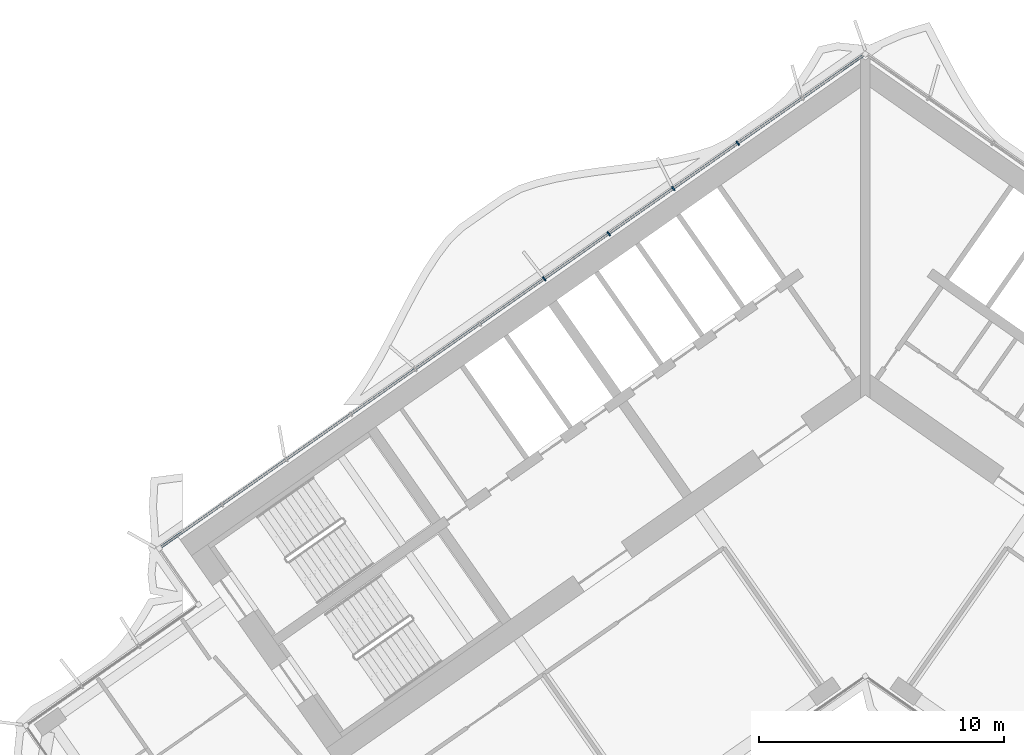
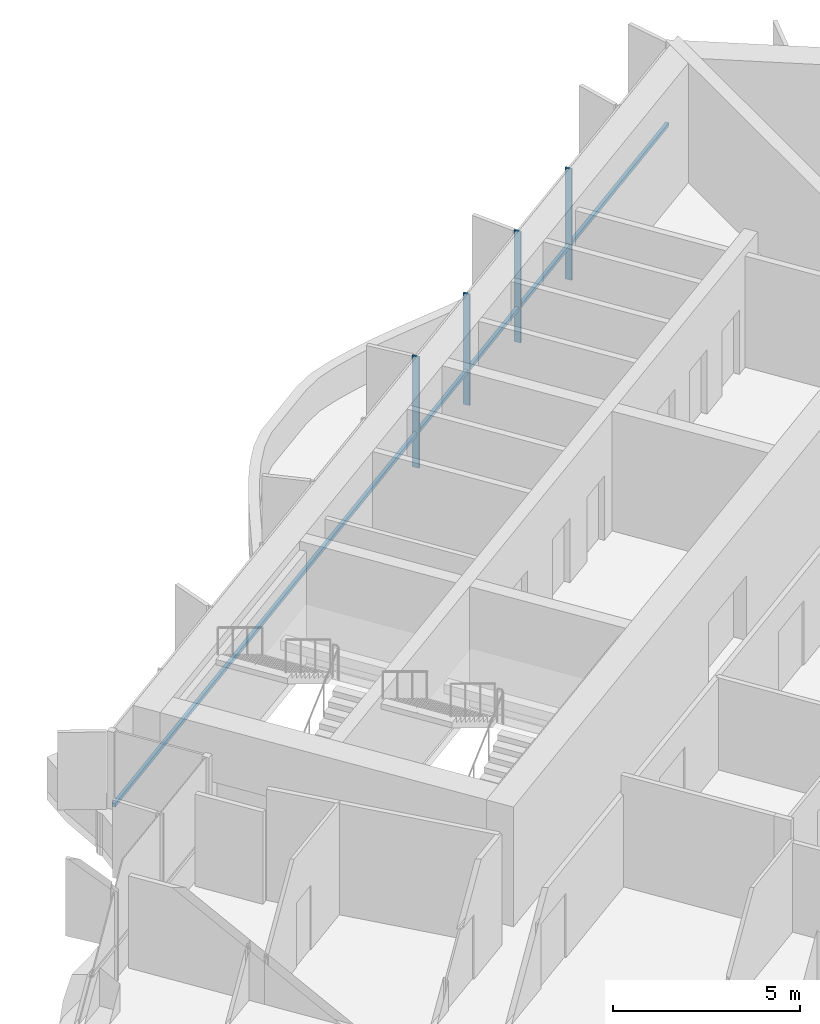
# One storey, part 7 of 21: 5 members, 1 element without a shape of its own.
"""IFC4 building model written with IfcOpenShell, lengths in metres."""

from ifc_helpers import new_model, si_unit, direction, frame, origin, origin_2d, place, context, subcontext, project, spatial, rectangle, extrude, material, material_profile, profile_set, type_object, element, aggregate, save


model = new_model("IFC4")

# Units and contexts
model_context = context("Model", 3, precision=1e-05, world=origin(), true_north=direction((0.0, 1.0)))
body_context = subcontext(model_context, "Body", "Model", "MODEL_VIEW")
ifc_project = project(units=[si_unit("LENGTHUNIT", "METRE"), si_unit("AREAUNIT", "SQUARE_METRE"), si_unit("VOLUMEUNIT", "CUBIC_METRE"), si_unit("PLANEANGLEUNIT", "RADIAN"), si_unit("MASSUNIT", "GRAM", prefix="KILO")], contexts=[model_context])

# Site, building, storey
site_placement = place(None, origin())
site = spatial("IfcSite", under=ifc_project, at=site_placement, CompositionType="ELEMENT")
building_placement = place(site_placement, origin())
building = spatial("IfcBuilding", under=site, at=building_placement, Name="Tel Ilan Convention Tower", CompositionType="ELEMENT")
storey_placement = place(building_placement, frame((0.0, 0.0, 206.10009765625)))
storey = spatial("IfcBuildingStorey", under=building, at=storey_placement, Name="L48", CompositionType="ELEMENT", Elevation=206.10009765625)

# Curtain wall, members
ifc_material_1 = material(Name="Aluminium, bronze anodised", Category="aluminium")
curtain_wall_type = type_object("IfcCurtainWallType", Name="CW2 STICK CURTAIN WALL, SPANDREL PANELS", PredefinedType="NOTDEFINED", material=ifc_material_1)
curtain_wall_placement = place(storey_placement, origin())
curtain_wall = element("IfcCurtainWall", 1, at=curtain_wall_placement, inside=storey, type_object=curtain_wall_type, Name="Curtain wall CW2-38.01", PredefinedType="NOTDEFINED")
ifc_material_2 = material(Name="Aluminium, bronze anodised", Category="aluminium")
ifc_material_profile_1 = material_profile(ifc_material_2, rectangle(XDim=0.06005859375, YDim=0.199951171875, at=origin_2d()), Name="CW MULLION 60x200")
ifc_profile_set_1 = profile_set([ifc_material_profile_1], Name="Aluminium, bronze anodised")
member_type_1 = type_object("IfcMemberType", Name="CW MULLION 60x200", PredefinedType="MULLION", material=ifc_profile_set_1)
member_1_placement = place(storey_placement, frame((-5.207763671875, 9.049560546875, 0.0), z_axis=(0.0, 0.0, 1.0), x_axis=(-0.819152044289, -0.573576436351, 0.0)))
member_1 = element("IfcMember", 2, at=member_1_placement, type_object=member_type_1, Name="Mullion", PredefinedType="MULLION", context=body_context, shape_type="SweptSolid", body=[
    extrude(rectangle(XDim=0.06005859375, YDim=0.199951171875, at=origin_2d()), origin(), (0.0, 0.0, 1.0), 3.619873046875),
])
member_2_placement = place(storey_placement, frame((-7.840576171875, 7.2060546875, 0.0), z_axis=(0.0, 0.0, 1.0), x_axis=(-0.819152044289, -0.573576436351, 0.0)))
member_2 = element("IfcMember", 3, at=member_2_placement, type_object=member_type_1, Name="Mullion", PredefinedType="MULLION", context=body_context, shape_type="SweptSolid", body=[
    extrude(rectangle(XDim=0.06005859375, YDim=0.199951171875, at=origin_2d()), origin(), (0.0, 0.0, 1.0), 3.619873046875),
])
member_3_placement = place(storey_placement, frame((-10.47314453125, 5.36279296875, 0.0), z_axis=(0.0, 0.0, 1.0), x_axis=(-0.819152044289, -0.573576436351, 0.0)))
member_3 = element("IfcMember", 4, at=member_3_placement, type_object=member_type_1, Name="Mullion", PredefinedType="MULLION", context=body_context, shape_type="SweptSolid", body=[
    extrude(rectangle(XDim=0.06005859375, YDim=0.199951171875, at=origin_2d()), origin(), (0.0, 0.0, 1.0), 3.619873046875),
])
member_4_placement = place(storey_placement, frame((-13.105712890625, 3.519287109375, 0.0), z_axis=(0.0, 0.0, 1.0), x_axis=(-0.819152044289, -0.573576436351, 0.0)))
member_4 = element("IfcMember", 5, at=member_4_placement, type_object=member_type_1, Name="Mullion", PredefinedType="MULLION", context=body_context, shape_type="SweptSolid", body=[
    extrude(rectangle(XDim=0.06005859375, YDim=0.199951171875, at=origin_2d()), origin(), (0.0, 0.0, 1.0), 3.619873046875),
])
ifc_material_3 = material(Name="Aluminium, bronze anodised", Category="aluminium")
ifc_material_profile_2 = material_profile(ifc_material_3, rectangle(XDim=0.10009765625, YDim=0.1201171875, at=origin_2d()), Name="CW TRANSOM 100x120")
ifc_profile_set_2 = profile_set([ifc_material_profile_2], Name="Aluminium, bronze anodised")
member_type_2 = type_object("IfcMemberType", Name="CW TRANSOM 100x120", PredefinedType="USERDEFINED", material=ifc_profile_set_2)
member_5_placement = place(storey_placement, frame((-0.1064453125, 12.62158203125, 1.099853515625), z_axis=(-0.819150201937, -0.573579067494, 0.0), x_axis=(0.573579067494, -0.819150201937, 0.0)))
member_5 = element("IfcMember", 6, at=member_5_placement, type_object=member_type_2, Name="Transom", ObjectType="TRANSOM", PredefinedType="USERDEFINED", context=body_context, shape_type="SweptSolid", body=[
    extrude(rectangle(XDim=0.10009765625, YDim=0.1201171875, at=origin_2d()), origin(), (0.0, 0.0, 1.0), 34.9521484375),
])
aggregate(curtain_wall, [member_1, member_2, member_3, member_4, member_5])

save(model, "model.ifc")
